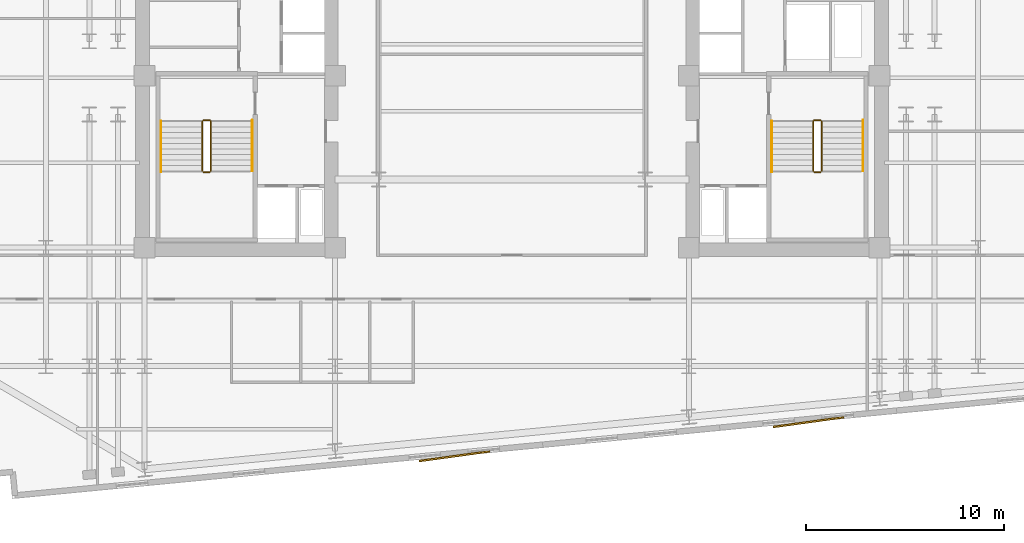
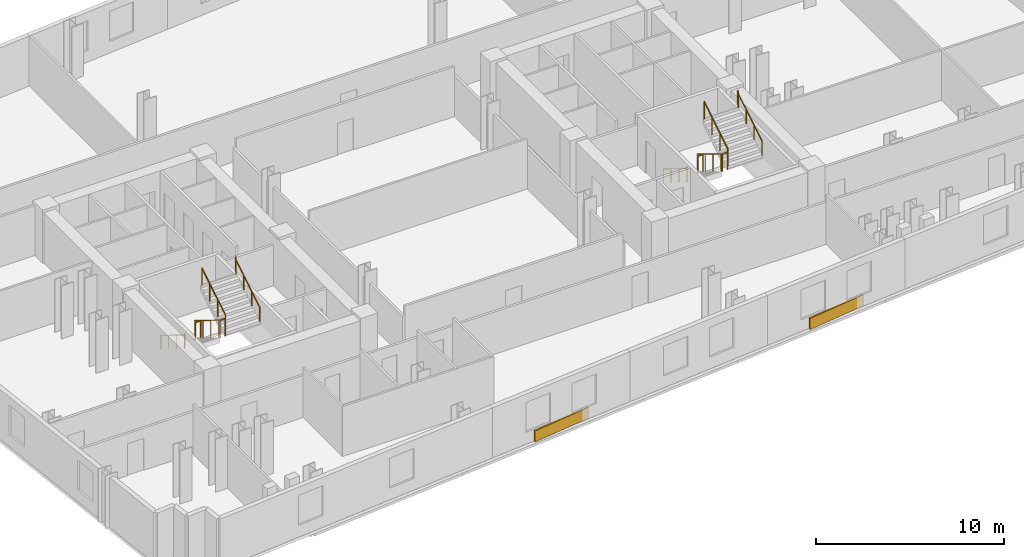
# One storey, part 9 of 10: 12 railings, 2 coverings.
"""IFC4 building model written with IfcOpenShell, lengths in metres."""

import ifcopenshell
import ifcopenshell.guid

model = None  # the IFC model being written
_history = None  # IfcOwnerHistory: only IFC2X3 demands one
_inside = {}  # id of a spatial element -> (the spatial element, [elements in it])
_under = {}  # id of a project, library or spatial element -> (it, [spatial elements below it])
_declared = {}  # id of a project -> (the project, [libraries it declares])
_typed = {}  # id of a type object -> (the type object, [elements of that type])
_made_of = {}  # id of a material, layer set ... -> (it, [elements and type objects made of it])


def new_model(schema):
    """Start an empty IFC model of exactly this schema.

    Asked for "IFC4X3", IfcOpenShell would pick the latest addendum, in which some entities
    have other attributes; the version numbers below select the first issue.
    IFC2X3 requires an IfcOwnerHistory on every rooted entity: one is made here for all.
    """
    global model, _history
    if schema == "IFC4X3":
        model = ifcopenshell.file(schema_version=(4, 3, 0, 0))
    else:
        model = ifcopenshell.file(schema=schema)
    _inside.clear()
    _under.clear()
    _declared.clear()
    _typed.clear()
    _made_of.clear()
    _history = None
    if model.schema == "IFC2X3":
        org = make("IfcOrganization", Name="unknown")
        user = make(
            "IfcPersonAndOrganization",
            ThePerson=make("IfcPerson", FamilyName="unknown"),
            TheOrganization=org,
        )
        app = make(
            "IfcApplication",
            ApplicationDeveloper=org,
            Version="unknown",
            ApplicationFullName="unknown",
            ApplicationIdentifier="unknown",
        )
        _history = make(
            "IfcOwnerHistory",
            OwningUser=user,
            OwningApplication=app,
            ChangeAction="ADDED",
            CreationDate=0,
        )
    return model


def make(cls, **values):
    """One entity of the class cls with the attributes given. An attribute that is None is left unset."""
    return model.create_entity(
        cls, **{name: value for name, value in values.items() if value is not None}
    )


def rooted(cls, **values):
    """An entity with a GlobalId (a new one), such as an element, a storey or a relation."""
    return make(cls, GlobalId=ifcopenshell.guid.new(), OwnerHistory=_history, **values)


def si_unit(unit_type, name, prefix=None):
    """IfcSIUnit, for example si_unit("LENGTHUNIT", "METRE", prefix="MILLI")."""
    return make("IfcSIUnit", UnitType=unit_type, Prefix=prefix, Name=name)


def assignment(units):
    """IfcUnitAssignment: the units of a project."""
    return None if units is None else make("IfcUnitAssignment", Units=units)


def point(xyz):
    """IfcCartesianPoint."""
    return None if xyz is None else make("IfcCartesianPoint", Coordinates=xyz)


def direction(xyz):
    """IfcDirection."""
    return None if xyz is None else make("IfcDirection", DirectionRatios=xyz)


def frame(location, z_axis=None, x_axis=None):
    """IfcAxis2Placement3D, a coordinate frame: its origin and axes. An axis left out is left unset."""
    return make(
        "IfcAxis2Placement3D",
        Location=point(location),
        Axis=direction(z_axis),
        RefDirection=direction(x_axis),
    )


def frame_2d(location, x_axis=None):
    """IfcAxis2Placement2D, a coordinate frame in the plane: its origin and x axis."""
    return make(
        "IfcAxis2Placement2D", Location=point(location), RefDirection=direction(x_axis)
    )


def origin():
    """The frame at (0, 0, 0) with its axes left unset."""
    return frame((0.0, 0.0, 0.0))


def origin_2d():
    """The frame at (0, 0) in the plane with its x axis left unset."""
    return frame_2d((0.0, 0.0))


def place(relative_to, where):
    """IfcLocalPlacement: puts the frame where relative to a parent placement (None: the world)."""
    return make(
        "IfcLocalPlacement", PlacementRelTo=relative_to, RelativePlacement=where
    )


def context(
    kind, dimensions, precision=None, world=None, true_north=None, identifier=None
):
    """IfcGeometricRepresentationContext, for example the 3D "Model" context."""
    return make(
        "IfcGeometricRepresentationContext",
        ContextIdentifier=identifier,
        ContextType=kind,
        CoordinateSpaceDimension=dimensions,
        Precision=precision,
        WorldCoordinateSystem=world,
        TrueNorth=true_north,
    )


def subcontext(parent, identifier, kind, view, scale=None):
    """IfcGeometricRepresentationSubContext, for example "Body" below "Model"."""
    return make(
        "IfcGeometricRepresentationSubContext",
        ContextIdentifier=identifier,
        ContextType=kind,
        ParentContext=parent,
        TargetScale=scale,
        TargetView=view,
    )


def project(units=None, contexts=None):
    """IfcProject with its units and contexts."""
    return rooted(
        "IfcProject",
        Name="project",
        RepresentationContexts=contexts,
        UnitsInContext=assignment(units),
    )


def spatial(cls, under=None, at=None, **own):
    """A site, building, storey or space (cls), placed at a placement, below another one or the project."""
    s = rooted(cls, ObjectPlacement=at, **own)
    if under is not None:
        _under.setdefault(under.id(), (under, []))[1].append(s)
    return s


def profile(cls, at=None, kind="AREA", **sizes):
    """A parametric profile (cls). Its sizes go by their IFC names, for example OverallWidth=200.0."""
    return make(cls, ProfileType=kind, Position=at, **sizes)


def rectangle(**sizes):
    """IfcRectangleProfileDef."""
    return profile("IfcRectangleProfileDef", **sizes)


def circle(**sizes):
    """IfcCircleProfileDef."""
    return profile("IfcCircleProfileDef", **sizes)


def extrude(swept, where, along, depth):
    """IfcExtrudedAreaSolid: the profile swept, set in the frame where, extruded along a direction by depth."""
    return make(
        "IfcExtrudedAreaSolid",
        SweptArea=swept,
        Position=where,
        ExtrudedDirection=direction(along),
        Depth=depth,
    )


def shape(context_of_items, identifier, shape_type, items):
    """IfcShapeRepresentation: the items that make up one representation, for example the "Body"."""
    return make(
        "IfcShapeRepresentation",
        ContextOfItems=context_of_items,
        RepresentationIdentifier=identifier,
        RepresentationType=shape_type,
        Items=items,
    )


def material(Name=None, Category=None):
    """IfcMaterial."""
    return make("IfcMaterial", Name=Name, Category=Category)


def layer(
    of_material, thickness, ventilated=None, Name=None, Category=None, Priority=None
):
    """IfcMaterialLayer: one layer of a wall or slab, of a material (None: an air gap)."""
    return make(
        "IfcMaterialLayer",
        Material=of_material,
        LayerThickness=thickness,
        IsVentilated=ventilated,
        Name=Name,
        Category=Category,
        Priority=Priority,
    )


def layer_set(layers, Name=None):
    """IfcMaterialLayerSet."""
    return make("IfcMaterialLayerSet", MaterialLayers=layers, LayerSetName=Name)


def made_of(thing, what):
    """Note that an element or type object is made of a material, layer set ...; save() writes the relation."""
    if what is not None:
        _made_of.setdefault(what.id(), (what, []))[1].append(thing)
    return thing


def type_object(cls, material=None, **own):
    """A type object (cls), such as IfcWallType, which elements share."""
    return made_of(rooted(cls, **own), material)


def element(
    cls,
    number,
    at=None,
    inside=None,
    cuts=None,
    type_object=None,
    material=None,
    context=None,
    identifier="Body",
    shape_type=None,
    held_by="IfcProductDefinitionShape",
    body=None,
    shapes=None,
    **own,
):
    """One element of the class cls, such as IfcWall. Its Tag is "e" and its number.

    at: its placement. inside: the storey or other place that contains it. cuts: it is an
    opening in that element (IfcRelVoidsElement). A single representation is given by context,
    identifier, shape_type and body (its items); several are given by shapes. held_by: the class
    of the entity that holds the representations. save() writes the other relations.
    """
    e = rooted(cls, Tag="e%d" % number, ObjectPlacement=at, **own)
    if body is not None:
        shapes = [shape(context, identifier, shape_type, body)]
    if shapes is not None:
        e.Representation = make(held_by, Representations=shapes)
    if inside is not None:
        _inside.setdefault(inside.id(), (inside, []))[1].append(e)
    if cuts is not None:
        rooted(
            "IfcRelVoidsElement", RelatingBuildingElement=cuts, RelatedOpeningElement=e
        )
    if type_object is not None:
        _typed.setdefault(type_object.id(), (type_object, []))[1].append(e)
    return made_of(e, material)


def aggregate(whole, parts):
    """IfcRelAggregates: a whole, such as a stair, and the parts it consists of."""
    return rooted("IfcRelAggregates", RelatingObject=whole, RelatedObjects=parts)


def save(model, path):
    """Write the relations noted so far, then the file.

    IfcRelAggregates (storeys below a building ...), IfcRelContainedInSpatialStructure (elements
    in a storey), IfcRelDefinesByType, IfcRelAssociatesMaterial and IfcRelDeclares: one each for
    every whole, place, type object, material and project.
    """
    for whole, parts in _under.values():
        aggregate(whole, parts)
    for where, things in _inside.values():
        rooted(
            "IfcRelContainedInSpatialStructure",
            RelatedElements=things,
            RelatingStructure=where,
        )
    for kind, things in _typed.values():
        rooted("IfcRelDefinesByType", RelatedObjects=things, RelatingType=kind)
    for what, things in _made_of.values():
        rooted("IfcRelAssociatesMaterial", RelatedObjects=things, RelatingMaterial=what)
    for by, libraries in _declared.values():
        rooted("IfcRelDeclares", RelatingContext=by, RelatedDefinitions=libraries)
    model.write(path)


model = new_model("IFC4")

# Units and contexts
model_context = context("Model", 3, precision=1e-05, world=origin(), true_north=direction((0.0, 1.0)))
body_context = subcontext(model_context, "Body", "Model", "MODEL_VIEW")
ifc_project = project(units=[si_unit("LENGTHUNIT", "METRE"), si_unit("AREAUNIT", "SQUARE_METRE"), si_unit("VOLUMEUNIT", "CUBIC_METRE"), si_unit("PLANEANGLEUNIT", "RADIAN"), si_unit("MASSUNIT", "GRAM", prefix="KILO")], contexts=[model_context])

# Site, building, storey
site_placement = place(None, origin())
site = spatial("IfcSite", under=ifc_project, at=site_placement, CompositionType="ELEMENT")
building_placement = place(site_placement, origin())
building = spatial("IfcBuilding", under=site, at=building_placement, Name="Velakula Bourse", CompositionType="ELEMENT")
storey_placement = place(building_placement, frame((0.0, 0.0, 77.64990234375)))
storey = spatial("IfcBuildingStorey", under=building, at=storey_placement, Name="L20", CompositionType="ELEMENT", Elevation=77.64990234375)

# Coverings
ifc_material_1 = material(Name="Buff kilned clay facing brick masonry", Category="masonry")
ifc_layer = layer(ifc_material_1, 0.074951171875, Name="Buff kilned clay facing brick masonry", Category="masonry")
ifc_layer_set = layer_set([ifc_layer], Name="Buff kilned clay facing brick masonry")
covering_type = type_object("IfcCoveringType", Name="COV-BRK-SPN-75", PredefinedType="CLADDING", material=ifc_layer_set)
for number, where, z_axis, x_axis, name in (
    (1, (-2.908447265625, -19.154052734375, 0.0), (0.0, 0.0, 1.0), (0.990629029058, 0.136580111242, 0.0), "L20 Folded Brick Facade Cladding Panel S-B2"),
    (2, (15.0087890625, -17.428955078125, 0.0), (0.0, 0.0, 1.0), (0.990629029058, 0.136580111242, 0.0), "L20 Folded Brick Facade Cladding Panel S-B4"),
):
    element("IfcCovering", number, at=place(storey_placement, frame(where, z_axis=z_axis, x_axis=x_axis)), inside=storey, type_object=covering_type, Name=name, PredefinedType="CLADDING", context=body_context, shape_type="SweptSolid", body=[
        extrude(rectangle(XDim=3.60009765625, YDim=0.090087890625, at=origin_2d()), origin(), (0.0, 0.0, 1.0), 0.719970703125),
    ])

# Railings
ifc_material_2 = material(Name="Brushed grade 316 stainless steel", Category="steel")
railing_type_1 = type_object("IfcRailingType", Name="RLG-STAIR-GUARD-1150", PredefinedType="BALUSTRADE", material=ifc_material_2)
railing_1_placement = place(storey_placement, frame((-15.672119140625, -2.199951171875, 0.172607421875)))
element("IfcRailing", 3, at=railing_1_placement, inside=storey, type_object=railing_type_1, Name="L20 ST-W1 stair guard 1", PredefinedType="BALUSTRADE", context=body_context, shape_type="SweptSolid", body=[
    extrude(circle(Radius=0.02490234375, at=origin_2d()), frame((0.0, 0.0, 1.125), z_axis=(0.0, -0.851400495292, 0.524516154772), x_axis=(1.0, 0.0, 0.0)), (0.0, 0.0, 1.0), 2.9599609375),
    extrude(circle(Radius=0.02099609375, at=origin_2d()), origin(), (0.0, 0.0, 1.0), 1.099853515625),
    extrude(circle(Radius=0.02099609375, at=origin_2d()), frame((0.0, -0.840087890625, 0.517578125)), (0.0, 0.0, 1.0), 1.099853515625),
    extrude(circle(Radius=0.02099609375, at=origin_2d()), frame((0.0, -1.679931640625, 1.034912109375)), (0.0, 0.0, 1.0), 1.099853515625),
    extrude(circle(Radius=0.02099609375, at=origin_2d()), frame((0.0, -2.52001953125, 1.552490234375)), (0.0, 0.0, 1.0), 1.099853515625),
])
railing_2_placement = place(storey_placement, frame((-15.6220703125, -4.77001953125, 1.72509765625)))
element("IfcRailing", 4, at=railing_2_placement, inside=storey, type_object=railing_type_1, Name="L20 ST-W1 stair guard 2", PredefinedType="BALUSTRADE", context=body_context, shape_type="SweptSolid", body=[
    extrude(circle(Radius=0.02490234375, at=origin_2d()), frame((0.0, 0.0, 1.125), z_axis=(1.0, 0.0, 0.0), x_axis=(0.0, 1.0, 0.0)), (0.0, 0.0, 1.0), 0.323974609375),
    extrude(circle(Radius=0.02099609375, at=origin_2d()), origin(), (0.0, 0.0, 1.0), 1.099853515625),
    extrude(circle(Radius=0.02099609375, at=origin_2d()), frame((0.323974609375, 0.0, 0.0)), (0.0, 0.0, 1.0), 1.099853515625),
])
railing_3_placement = place(storey_placement, frame((-15.248046875, -4.719970703125, 1.897705078125)))
element("IfcRailing", 5, at=railing_3_placement, inside=storey, type_object=railing_type_1, Name="L20 ST-W1 stair guard 3", PredefinedType="BALUSTRADE", context=body_context, shape_type="SweptSolid", body=[
    extrude(circle(Radius=0.02490234375, at=origin_2d()), frame((0.0, 0.0, 1.125), z_axis=(0.0, 0.851400495292, 0.524516154772), x_axis=(-1.0, 0.0, 0.0)), (0.0, 0.0, 1.0), 2.9599609375),
    extrude(circle(Radius=0.02099609375, at=origin_2d()), origin(), (0.0, 0.0, 1.0), 1.099853515625),
    extrude(circle(Radius=0.02099609375, at=origin_2d()), frame((0.0, 0.840087890625, 0.517578125)), (0.0, 0.0, 1.0), 1.099853515625),
    extrude(circle(Radius=0.02099609375, at=origin_2d()), frame((0.0, 1.679931640625, 1.034912109375)), (0.0, 0.0, 1.0), 1.099853515625),
    extrude(circle(Radius=0.02099609375, at=origin_2d()), frame((0.0, 2.52001953125, 1.552490234375)), (0.0, 0.0, 1.0), 1.099853515625),
])
railing_4_placement = place(storey_placement, frame((-15.6220703125, -2.14990234375, 0.0)))
element("IfcRailing", 6, at=railing_4_placement, inside=storey, type_object=railing_type_1, Name="L20 ST-W1 stair guard 4", PredefinedType="BALUSTRADE", context=body_context, shape_type="SweptSolid", body=[
    extrude(circle(Radius=0.02490234375, at=origin_2d()), frame((0.0, 0.0, 1.125), z_axis=(1.0, 0.0, 0.0), x_axis=(0.0, 1.0, 0.0)), (0.0, 0.0, 1.0), 0.323974609375),
    extrude(circle(Radius=0.02099609375, at=origin_2d()), origin(), (0.0, 0.0, 1.0), 1.099853515625),
    extrude(circle(Radius=0.02099609375, at=origin_2d()), frame((0.323974609375, 0.0, 0.0)), (0.0, 0.0, 1.0), 1.099853515625),
])
railing_5_placement = place(storey_placement, frame((15.248046875, -2.199951171875, 0.172607421875)))
element("IfcRailing", 7, at=railing_5_placement, inside=storey, type_object=railing_type_1, Name="L20 ST-E1 stair guard 1", PredefinedType="BALUSTRADE", context=body_context, shape_type="SweptSolid", body=[
    extrude(circle(Radius=0.02490234375, at=origin_2d()), frame((0.0, 0.0, 1.125), z_axis=(0.0, -0.851400495292, 0.524516154772), x_axis=(1.0, 0.0, 0.0)), (0.0, 0.0, 1.0), 2.9599609375),
    extrude(circle(Radius=0.02099609375, at=origin_2d()), origin(), (0.0, 0.0, 1.0), 1.099853515625),
    extrude(circle(Radius=0.02099609375, at=origin_2d()), frame((0.0, -0.840087890625, 0.517578125)), (0.0, 0.0, 1.0), 1.099853515625),
    extrude(circle(Radius=0.02099609375, at=origin_2d()), frame((0.0, -1.679931640625, 1.034912109375)), (0.0, 0.0, 1.0), 1.099853515625),
    extrude(circle(Radius=0.02099609375, at=origin_2d()), frame((0.0, -2.52001953125, 1.552490234375)), (0.0, 0.0, 1.0), 1.099853515625),
])
railing_6_placement = place(storey_placement, frame((15.298095703125, -4.77001953125, 1.72509765625)))
element("IfcRailing", 8, at=railing_6_placement, inside=storey, type_object=railing_type_1, Name="L20 ST-E1 stair guard 2", PredefinedType="BALUSTRADE", context=body_context, shape_type="SweptSolid", body=[
    extrude(circle(Radius=0.02490234375, at=origin_2d()), frame((0.0, 0.0, 1.125), z_axis=(1.0, 0.0, 0.0), x_axis=(0.0, 1.0, 0.0)), (0.0, 0.0, 1.0), 0.323974609375),
    extrude(circle(Radius=0.02099609375, at=origin_2d()), origin(), (0.0, 0.0, 1.0), 1.099853515625),
    extrude(circle(Radius=0.02099609375, at=origin_2d()), frame((0.323974609375, 0.0, 0.0)), (0.0, 0.0, 1.0), 1.099853515625),
])
railing_7_placement = place(storey_placement, frame((15.672119140625, -4.719970703125, 1.897705078125)))
element("IfcRailing", 9, at=railing_7_placement, inside=storey, type_object=railing_type_1, Name="L20 ST-E1 stair guard 3", PredefinedType="BALUSTRADE", context=body_context, shape_type="SweptSolid", body=[
    extrude(circle(Radius=0.02490234375, at=origin_2d()), frame((0.0, 0.0, 1.125), z_axis=(0.0, 0.851400495292, 0.524516154772), x_axis=(-1.0, 0.0, 0.0)), (0.0, 0.0, 1.0), 2.9599609375),
    extrude(circle(Radius=0.02099609375, at=origin_2d()), origin(), (0.0, 0.0, 1.0), 1.099853515625),
    extrude(circle(Radius=0.02099609375, at=origin_2d()), frame((0.0, 0.840087890625, 0.517578125)), (0.0, 0.0, 1.0), 1.099853515625),
    extrude(circle(Radius=0.02099609375, at=origin_2d()), frame((0.0, 1.679931640625, 1.034912109375)), (0.0, 0.0, 1.0), 1.099853515625),
    extrude(circle(Radius=0.02099609375, at=origin_2d()), frame((0.0, 2.52001953125, 1.552490234375)), (0.0, 0.0, 1.0), 1.099853515625),
])
railing_8_placement = place(storey_placement, frame((15.298095703125, -2.14990234375, 0.0)))
element("IfcRailing", 10, at=railing_8_placement, inside=storey, type_object=railing_type_1, Name="L20 ST-E1 stair guard 4", PredefinedType="BALUSTRADE", context=body_context, shape_type="SweptSolid", body=[
    extrude(circle(Radius=0.02490234375, at=origin_2d()), frame((0.0, 0.0, 1.125), z_axis=(1.0, 0.0, 0.0), x_axis=(0.0, 1.0, 0.0)), (0.0, 0.0, 1.0), 0.323974609375),
    extrude(circle(Radius=0.02099609375, at=origin_2d()), origin(), (0.0, 0.0, 1.0), 1.099853515625),
    extrude(circle(Radius=0.02099609375, at=origin_2d()), frame((0.323974609375, 0.0, 0.0)), (0.0, 0.0, 1.0), 1.099853515625),
])
railing_type_2 = type_object("IfcRailingType", Name="RLG-STAIR-HAND-920", PredefinedType="HANDRAIL", material=ifc_material_2)
railing_9_placement = place(storey_placement, frame((-17.77001953125, -2.199951171875, 0.172607421875)))
element("IfcRailing", 11, at=railing_9_placement, inside=storey, type_object=railing_type_2, Name="L20 ST-W1 stair handrail 1", PredefinedType="HANDRAIL", context=body_context, shape_type="SweptSolid", body=[
    extrude(circle(Radius=0.02099609375, at=origin_2d()), frame((0.0, 0.0, 0.89892578125), z_axis=(0.0, -0.851400495292, 0.524516154772), x_axis=(1.0, 0.0, 0.0)), (0.0, 0.0, 1.0), 2.9599609375),
    extrude(circle(Radius=0.02099609375, at=origin_2d()), frame((0.0, -2.52001953125, 2.451416015625), z_axis=(0.0, -0.22596628056, 0.974135124123), x_axis=(1.0, 0.0, 0.0)), (0.0, 0.0, 1.0), 0.17724609375),
    extrude(circle(Radius=0.02099609375, at=origin_2d()), frame((0.0, -2.56005859375, 2.6240234375), z_axis=(0.0, -1.0, 0.0), x_axis=(1.0, 0.0, 0.0)), (0.0, 0.0, 1.0), 0.0048828125),
    extrude(circle(Radius=0.02099609375, at=origin_2d()), origin(), (0.0, 0.0, 1.0), 0.8779296875),
    extrude(circle(Radius=0.02099609375, at=origin_2d()), frame((0.0, -0.840087890625, 0.517578125)), (0.0, 0.0, 1.0), 0.8779296875),
    extrude(circle(Radius=0.02099609375, at=origin_2d()), frame((0.0, -1.679931640625, 1.034912109375)), (0.0, 0.0, 1.0), 0.8779296875),
    extrude(circle(Radius=0.02099609375, at=origin_2d()), frame((0.0, -2.52001953125, 1.552490234375)), (0.0, 0.0, 1.0), 0.8779296875),
    extrude(circle(Radius=0.02099609375, at=origin_2d()), frame((0.0, -2.56005859375, 1.72509765625)), (0.0, 0.0, 1.0), 0.8779296875),
    extrude(circle(Radius=0.02099609375, at=origin_2d()), frame((0.0, -2.56494140625, 1.72509765625)), (0.0, 0.0, 1.0), 0.8779296875),
])
railing_10_placement = place(storey_placement, frame((-13.14990234375, -4.719970703125, 1.897705078125)))
element("IfcRailing", 12, at=railing_10_placement, inside=storey, type_object=railing_type_2, Name="L20 ST-W1 stair handrail 2", PredefinedType="HANDRAIL", context=body_context, shape_type="SweptSolid", body=[
    extrude(circle(Radius=0.02099609375, at=origin_2d()), frame((0.0, 0.0, 0.89892578125), z_axis=(0.0, 0.851400495292, 0.524516154772), x_axis=(-1.0, 0.0, 0.0)), (0.0, 0.0, 1.0), 2.9599609375),
    extrude(circle(Radius=0.02099609375, at=origin_2d()), frame((0.0, 2.52001953125, 2.451416015625), z_axis=(0.0, 0.226269970362, 0.974064628509), x_axis=(-1.0, 0.0, 0.0)), (0.0, 0.0, 1.0), 0.177001953125),
    extrude(circle(Radius=0.02099609375, at=origin_2d()), frame((0.0, 2.56005859375, 2.623779296875), z_axis=(0.0, 1.0, 0.0), x_axis=(-1.0, 0.0, 0.0)), (0.0, 0.0, 1.0), 0.0048828125),
    extrude(circle(Radius=0.02099609375, at=origin_2d()), origin(), (0.0, 0.0, 1.0), 0.8779296875),
    extrude(circle(Radius=0.02099609375, at=origin_2d()), frame((0.0, 0.840087890625, 0.517578125)), (0.0, 0.0, 1.0), 0.8779296875),
    extrude(circle(Radius=0.02099609375, at=origin_2d()), frame((0.0, 1.679931640625, 1.034912109375)), (0.0, 0.0, 1.0), 0.8779296875),
    extrude(circle(Radius=0.02099609375, at=origin_2d()), frame((0.0, 2.52001953125, 1.552490234375)), (0.0, 0.0, 1.0), 0.8779296875),
    extrude(circle(Radius=0.02099609375, at=origin_2d()), frame((0.0, 2.56005859375, 1.724853515625)), (0.0, 0.0, 1.0), 0.8779296875),
    extrude(circle(Radius=0.02099609375, at=origin_2d()), frame((0.0, 2.56494140625, 1.724853515625)), (0.0, 0.0, 1.0), 0.8779296875),
])
railing_11_placement = place(storey_placement, frame((13.14990234375, -2.199951171875, 0.172607421875)))
element("IfcRailing", 13, at=railing_11_placement, inside=storey, type_object=railing_type_2, Name="L20 ST-E1 stair handrail 1", PredefinedType="HANDRAIL", context=body_context, shape_type="SweptSolid", body=[
    extrude(circle(Radius=0.02099609375, at=origin_2d()), frame((0.0, 0.0, 0.89892578125), z_axis=(0.0, -0.851400495292, 0.524516154772), x_axis=(1.0, 0.0, 0.0)), (0.0, 0.0, 1.0), 2.9599609375),
    extrude(circle(Radius=0.02099609375, at=origin_2d()), frame((0.0, -2.52001953125, 2.451416015625), z_axis=(0.0, -0.22596628056, 0.974135124123), x_axis=(1.0, 0.0, 0.0)), (0.0, 0.0, 1.0), 0.17724609375),
    extrude(circle(Radius=0.02099609375, at=origin_2d()), frame((0.0, -2.56005859375, 2.6240234375), z_axis=(0.0, -1.0, 0.0), x_axis=(1.0, 0.0, 0.0)), (0.0, 0.0, 1.0), 0.0048828125),
    extrude(circle(Radius=0.02099609375, at=origin_2d()), origin(), (0.0, 0.0, 1.0), 0.8779296875),
    extrude(circle(Radius=0.02099609375, at=origin_2d()), frame((0.0, -0.840087890625, 0.517578125)), (0.0, 0.0, 1.0), 0.8779296875),
    extrude(circle(Radius=0.02099609375, at=origin_2d()), frame((0.0, -1.679931640625, 1.034912109375)), (0.0, 0.0, 1.0), 0.8779296875),
    extrude(circle(Radius=0.02099609375, at=origin_2d()), frame((0.0, -2.52001953125, 1.552490234375)), (0.0, 0.0, 1.0), 0.8779296875),
    extrude(circle(Radius=0.02099609375, at=origin_2d()), frame((0.0, -2.56005859375, 1.72509765625)), (0.0, 0.0, 1.0), 0.8779296875),
    extrude(circle(Radius=0.02099609375, at=origin_2d()), frame((0.0, -2.56494140625, 1.72509765625)), (0.0, 0.0, 1.0), 0.8779296875),
])
railing_12_placement = place(storey_placement, frame((17.77001953125, -4.719970703125, 1.897705078125)))
element("IfcRailing", 14, at=railing_12_placement, inside=storey, type_object=railing_type_2, Name="L20 ST-E1 stair handrail 2", PredefinedType="HANDRAIL", context=body_context, shape_type="SweptSolid", body=[
    extrude(circle(Radius=0.02099609375, at=origin_2d()), frame((0.0, 0.0, 0.89892578125), z_axis=(0.0, 0.851400495292, 0.524516154772), x_axis=(-1.0, 0.0, 0.0)), (0.0, 0.0, 1.0), 2.9599609375),
    extrude(circle(Radius=0.02099609375, at=origin_2d()), frame((0.0, 2.52001953125, 2.451416015625), z_axis=(0.0, 0.226269970362, 0.974064628509), x_axis=(-1.0, 0.0, 0.0)), (0.0, 0.0, 1.0), 0.177001953125),
    extrude(circle(Radius=0.02099609375, at=origin_2d()), frame((0.0, 2.56005859375, 2.623779296875), z_axis=(0.0, 1.0, 0.0), x_axis=(-1.0, 0.0, 0.0)), (0.0, 0.0, 1.0), 0.0048828125),
    extrude(circle(Radius=0.02099609375, at=origin_2d()), origin(), (0.0, 0.0, 1.0), 0.8779296875),
    extrude(circle(Radius=0.02099609375, at=origin_2d()), frame((0.0, 0.840087890625, 0.517578125)), (0.0, 0.0, 1.0), 0.8779296875),
    extrude(circle(Radius=0.02099609375, at=origin_2d()), frame((0.0, 1.679931640625, 1.034912109375)), (0.0, 0.0, 1.0), 0.8779296875),
    extrude(circle(Radius=0.02099609375, at=origin_2d()), frame((0.0, 2.52001953125, 1.552490234375)), (0.0, 0.0, 1.0), 0.8779296875),
    extrude(circle(Radius=0.02099609375, at=origin_2d()), frame((0.0, 2.56005859375, 1.724853515625)), (0.0, 0.0, 1.0), 0.8779296875),
    extrude(circle(Radius=0.02099609375, at=origin_2d()), frame((0.0, 2.56494140625, 1.724853515625)), (0.0, 0.0, 1.0), 0.8779296875),
])

save(model, "model.ifc")
